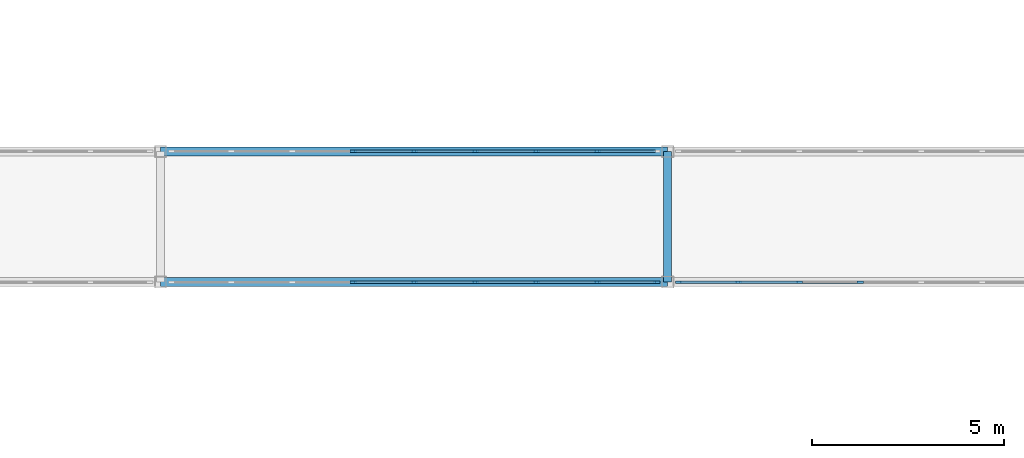
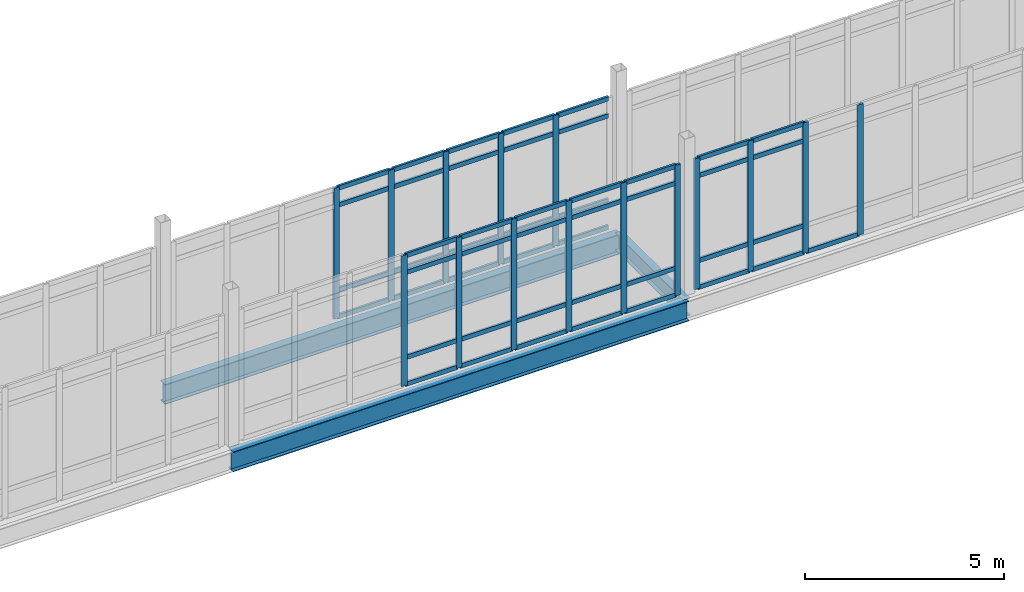
# One storey, part 39 of 125: 64 members, 3 beams, 3 elements without a shape of their own.
"""IFC4 building model written with IfcOpenShell, lengths in metres."""

from ifc_helpers import new_model, si_unit, direction, frame, origin, origin_2d, place, context, subcontext, project, spatial, rectangle, i_section, extrude, material, material_profile, profile_set, type_object, element, aggregate, save


model = new_model("IFC4")

# Units and contexts
model_context = context("Model", 3, precision=1e-05, world=origin(), true_north=direction((0.0, 1.0)))
body_context = subcontext(model_context, "Body", "Model", "MODEL_VIEW")
ifc_project = project(units=[si_unit("LENGTHUNIT", "METRE"), si_unit("AREAUNIT", "SQUARE_METRE"), si_unit("VOLUMEUNIT", "CUBIC_METRE"), si_unit("PLANEANGLEUNIT", "RADIAN"), si_unit("MASSUNIT", "GRAM", prefix="KILO")], contexts=[model_context])

# Site, building, storey
site_placement = place(None, origin())
site = spatial("IfcSite", under=ifc_project, at=site_placement, CompositionType="ELEMENT")
building_placement = place(site_placement, origin())
building = spatial("IfcBuilding", under=site, at=building_placement, Name="Dornvale Research Institute", CompositionType="ELEMENT")
storey_placement = place(building_placement, frame((0.0, 0.0, 5.39990234375)))
storey = spatial("IfcBuildingStorey", under=building, at=storey_placement, Name="L01", CompositionType="ELEMENT", Elevation=5.39990234375)

# Beams
ifc_material_1 = material(Name="Steel ASTM A992 Grade 50", Category="steel")
ifc_material_profile_1 = material_profile(ifc_material_1, i_section(OverallWidth=0.2099609375, OverallDepth=0.535888671875, WebThickness=0.010986328125, FlangeThickness=0.017333984375, at=origin_2d()), Name="W21X68")
ifc_profile_set_1 = profile_set([ifc_material_profile_1], Name="Steel ASTM A992 Grade 50")
beam_type_1 = type_object("IfcBeamType", Name="Beam_Steel_W21X68_Ext", PredefinedType="BEAM", material=ifc_profile_set_1)
beam_placement = place(storey_placement, frame((72.60009765625, 113.10009765625, -0.48779296875), z_axis=(0.0, 1.0, 0.0), x_axis=(-1.0, 0.0, 0.0)))
element("IfcBeam", 1, at=beam_placement, inside=storey, type_object=beam_type_1, Name="L01 BR-5 portal cap beam #2026", PredefinedType="BEAM", context=body_context, shape_type="SweptSolid", body=[
    extrude(i_section(OverallWidth=0.2099609375, OverallDepth=0.535888671875, WebThickness=0.010986328125, FlangeThickness=0.017333984375, at=origin_2d()), origin(), (0.0, 0.0, 1.0), 3.39990234375),
])
ifc_material_2 = material(Name="Steel ASTM A992 Grade 50", Category="steel")
ifc_material_profile_2 = material_profile(ifc_material_2, i_section(OverallWidth=0.22900390625, OverallDepth=0.612060546875, WebThickness=0.011962890625, FlangeThickness=0.01953125, at=origin_2d()), Name="W24X84")
ifc_profile_set_2 = profile_set([ifc_material_profile_2], Name="Steel ASTM A992 Grade 50")
beam_type_2 = type_object("IfcBeamType", Name="Beam_Steel_W24X84_Bridge", PredefinedType="BEAM", material=ifc_profile_set_2)
for number, where, z_axis, x_axis, name in (
    (2, (59.39990234375, 113.10009765625, -0.52587890625), (1.0, 0.0, 0.0), (0.0, 1.0, 0.0), "L01 BR-5 south girder #2026"),
    (3, (59.39990234375, 116.5, -0.52587890625), (1.0, 0.0, 0.0), (0.0, 1.0, 0.0), "L01 BR-5 north girder #2026"),
):
    element("IfcBeam", number, at=place(storey_placement, frame(where, z_axis=z_axis, x_axis=x_axis)), inside=storey, type_object=beam_type_2, Name=name, PredefinedType="BEAM", context=body_context, shape_type="SweptSolid", body=[
        extrude(i_section(OverallWidth=0.22900390625, OverallDepth=0.612060546875, WebThickness=0.011962890625, FlangeThickness=0.01953125, at=origin_2d()), origin(), (0.0, 0.0, 1.0), 13.2001953125),
    ])

# Curtain wall, members
ifc_material_3 = material(Name="Low-E Argon Double Insulating Glazing Unit", Category="glass")
curtain_wall_type = type_object("IfcCurtainWallType", Name="UnitisedCurtainWall_V2_12700x4000", PredefinedType="USERDEFINED", material=ifc_material_3)
curtain_wall_1_placement = place(storey_placement, origin())
curtain_wall_1 = element("IfcCurtainWall", 4, at=curtain_wall_1_placement, inside=storey, type_object=curtain_wall_type, Name="L01 V2 unitised curtain wall CW-42 #213", ObjectType="UNITISED CURTAIN WALL", PredefinedType="USERDEFINED")
ifc_material_4 = material(Name="Anodized Aluminum AA 6063-T6 Thermally Broken Frame", Category="aluminium")
ifc_material_profile_3 = material_profile(ifc_material_4, rectangle(XDim=0.06494140625, YDim=0.1650390625, at=origin_2d()), Name="ALU MULLION 65x165")
ifc_profile_set_3 = profile_set([ifc_material_profile_3], Name="Anodized Aluminum AA 6063-T6 Thermally Broken Frame")
member_type_1 = type_object("IfcMemberType", Name="Mullion_Atrium_65x165", PredefinedType="MULLION", material=ifc_profile_set_3)
member_1_placement = place(storey_placement, frame((64.41259765625, 116.5, 0.0), z_axis=(0.0, 0.0, 1.0), x_axis=(0.0, 1.0, 0.0)))
member_1 = element("IfcMember", 5, at=member_1_placement, type_object=member_type_1, Name="CW-42 mullion 4", PredefinedType="MULLION", context=body_context, shape_type="SweptSolid", body=[
    extrude(rectangle(XDim=0.06494140625, YDim=0.1650390625, at=origin_2d()), origin(), (0.0, 0.0, 1.0), 4.0),
])
member_2_placement = place(storey_placement, frame((66.0, 116.5, 0.0), z_axis=(0.0, 0.0, 1.0), x_axis=(0.0, 1.0, 0.0)))
member_2 = element("IfcMember", 6, at=member_2_placement, type_object=member_type_1, Name="CW-42 mullion 5", PredefinedType="MULLION", context=body_context, shape_type="SweptSolid", body=[
    extrude(rectangle(XDim=0.06494140625, YDim=0.1650390625, at=origin_2d()), origin(), (0.0, 0.0, 1.0), 4.0),
])
member_3_placement = place(storey_placement, frame((67.58740234375, 116.5, 0.0), z_axis=(0.0, 0.0, 1.0), x_axis=(0.0, 1.0, 0.0)))
member_3 = element("IfcMember", 7, at=member_3_placement, type_object=member_type_1, Name="CW-42 mullion 6", PredefinedType="MULLION", context=body_context, shape_type="SweptSolid", body=[
    extrude(rectangle(XDim=0.06494140625, YDim=0.1650390625, at=origin_2d()), origin(), (0.0, 0.0, 1.0), 4.0),
])
member_4_placement = place(storey_placement, frame((69.175048828125, 116.5, 0.0), z_axis=(0.0, 0.0, 1.0), x_axis=(0.0, 1.0, 0.0)))
member_4 = element("IfcMember", 8, at=member_4_placement, type_object=member_type_1, Name="CW-42 mullion 7", PredefinedType="MULLION", context=body_context, shape_type="SweptSolid", body=[
    extrude(rectangle(XDim=0.06494140625, YDim=0.1650390625, at=origin_2d()), origin(), (0.0, 0.0, 1.0), 4.0),
])
member_5_placement = place(storey_placement, frame((70.762451171875, 116.5, 0.0), z_axis=(0.0, 0.0, 1.0), x_axis=(0.0, 1.0, 0.0)))
member_5 = element("IfcMember", 9, at=member_5_placement, type_object=member_type_1, Name="CW-42 mullion 8", PredefinedType="MULLION", context=body_context, shape_type="SweptSolid", body=[
    extrude(rectangle(XDim=0.06494140625, YDim=0.1650390625, at=origin_2d()), origin(), (0.0, 0.0, 1.0), 4.0),
])

curtain_wall_2_placement = place(storey_placement, origin())
curtain_wall_2 = element("IfcCurtainWall", 10, at=curtain_wall_2_placement, inside=storey, type_object=curtain_wall_type, Name="L01 V2 unitised curtain wall CW-42 #214", ObjectType="UNITISED CURTAIN WALL", PredefinedType="USERDEFINED")
member_6_placement = place(storey_placement, frame((72.3173828125, 113.10009765625, 0.0), z_axis=(0.0, 0.0, 1.0), x_axis=(0.0, -1.0, 0.0)))
member_6 = element("IfcMember", 11, at=member_6_placement, type_object=member_type_1, Name="CW-42 mullion 1", PredefinedType="MULLION", context=body_context, shape_type="SweptSolid", body=[
    extrude(rectangle(XDim=0.06494140625, YDim=0.1650390625, at=origin_2d()), origin(), (0.0, 0.0, 1.0), 4.0),
])
member_7_placement = place(storey_placement, frame((70.762451171875, 113.10009765625, 0.0), z_axis=(0.0, 0.0, 1.0), x_axis=(0.0, -1.0, 0.0)))
member_7 = element("IfcMember", 12, at=member_7_placement, type_object=member_type_1, Name="CW-42 mullion 2", PredefinedType="MULLION", context=body_context, shape_type="SweptSolid", body=[
    extrude(rectangle(XDim=0.06494140625, YDim=0.1650390625, at=origin_2d()), origin(), (0.0, 0.0, 1.0), 4.0),
])
member_8_placement = place(storey_placement, frame((69.175048828125, 113.10009765625, 0.0), z_axis=(0.0, 0.0, 1.0), x_axis=(0.0, -1.0, 0.0)))
member_8 = element("IfcMember", 13, at=member_8_placement, type_object=member_type_1, Name="CW-42 mullion 3", PredefinedType="MULLION", context=body_context, shape_type="SweptSolid", body=[
    extrude(rectangle(XDim=0.06494140625, YDim=0.1650390625, at=origin_2d()), origin(), (0.0, 0.0, 1.0), 4.0),
])
member_9_placement = place(storey_placement, frame((67.58740234375, 113.10009765625, 0.0), z_axis=(0.0, 0.0, 1.0), x_axis=(0.0, -1.0, 0.0)))
member_9 = element("IfcMember", 14, at=member_9_placement, type_object=member_type_1, Name="CW-42 mullion 4", PredefinedType="MULLION", context=body_context, shape_type="SweptSolid", body=[
    extrude(rectangle(XDim=0.06494140625, YDim=0.1650390625, at=origin_2d()), origin(), (0.0, 0.0, 1.0), 4.0),
])
member_10_placement = place(storey_placement, frame((66.0, 113.10009765625, 0.0), z_axis=(0.0, 0.0, 1.0), x_axis=(0.0, -1.0, 0.0)))
member_10 = element("IfcMember", 15, at=member_10_placement, type_object=member_type_1, Name="CW-42 mullion 5", PredefinedType="MULLION", context=body_context, shape_type="SweptSolid", body=[
    extrude(rectangle(XDim=0.06494140625, YDim=0.1650390625, at=origin_2d()), origin(), (0.0, 0.0, 1.0), 4.0),
])
member_11_placement = place(storey_placement, frame((64.41259765625, 113.10009765625, 0.0), z_axis=(0.0, 0.0, 1.0), x_axis=(0.0, -1.0, 0.0)))
member_11 = element("IfcMember", 16, at=member_11_placement, type_object=member_type_1, Name="CW-42 mullion 6", PredefinedType="MULLION", context=body_context, shape_type="SweptSolid", body=[
    extrude(rectangle(XDim=0.06494140625, YDim=0.1650390625, at=origin_2d()), origin(), (0.0, 0.0, 1.0), 4.0),
])

curtain_wall_3_placement = place(storey_placement, origin())
curtain_wall_3 = element("IfcCurtainWall", 17, at=curtain_wall_3_placement, inside=storey, type_object=curtain_wall_type, Name="L01 V2 unitised curtain wall CW-42 #216", ObjectType="UNITISED CURTAIN WALL", PredefinedType="USERDEFINED")
member_12_placement = place(storey_placement, frame((77.612548828125, 113.10009765625, 0.0), z_axis=(0.0, 0.0, 1.0), x_axis=(0.0, -1.0, 0.0)))
member_12 = element("IfcMember", 18, at=member_12_placement, type_object=member_type_1, Name="CW-42 mullion 6", PredefinedType="MULLION", context=body_context, shape_type="SweptSolid", body=[
    extrude(rectangle(XDim=0.06494140625, YDim=0.1650390625, at=origin_2d()), origin(), (0.0, 0.0, 1.0), 4.0),
])
member_13_placement = place(storey_placement, frame((76.02490234375, 113.10009765625, 0.0), z_axis=(0.0, 0.0, 1.0), x_axis=(0.0, -1.0, 0.0)))
member_13 = element("IfcMember", 19, at=member_13_placement, type_object=member_type_1, Name="CW-42 mullion 7", PredefinedType="MULLION", context=body_context, shape_type="SweptSolid", body=[
    extrude(rectangle(XDim=0.06494140625, YDim=0.1650390625, at=origin_2d()), origin(), (0.0, 0.0, 1.0), 4.0),
])
member_14_placement = place(storey_placement, frame((74.4375, 113.10009765625, 0.0), z_axis=(0.0, 0.0, 1.0), x_axis=(0.0, -1.0, 0.0)))
member_14 = element("IfcMember", 20, at=member_14_placement, type_object=member_type_1, Name="CW-42 mullion 8", PredefinedType="MULLION", context=body_context, shape_type="SweptSolid", body=[
    extrude(rectangle(XDim=0.06494140625, YDim=0.1650390625, at=origin_2d()), origin(), (0.0, 0.0, 1.0), 4.0),
])
member_15_placement = place(storey_placement, frame((72.882568359375, 113.10009765625, 0.0), z_axis=(0.0, 0.0, 1.0), x_axis=(0.0, -1.0, 0.0)))
member_15 = element("IfcMember", 21, at=member_15_placement, type_object=member_type_1, Name="CW-42 mullion 9", PredefinedType="MULLION", context=body_context, shape_type="SweptSolid", body=[
    extrude(rectangle(XDim=0.06494140625, YDim=0.1650390625, at=origin_2d()), origin(), (0.0, 0.0, 1.0), 4.0),
])

# Member
ifc_material_5 = material(Name="Anodized Aluminum AA 6063-T6 Thermally Broken Frame", Category="aluminium")
ifc_material_profile_4 = material_profile(ifc_material_5, rectangle(XDim=0.06494140625, YDim=0.135009765625, at=origin_2d()), Name="ALU TRANSOM 65x135")
ifc_profile_set_4 = profile_set([ifc_material_profile_4], Name="Anodized Aluminum AA 6063-T6 Thermally Broken Frame")
member_type_2 = type_object("IfcMemberType", Name="Transom_CW_65x135", PredefinedType="USERDEFINED", material=ifc_profile_set_4)
member_16_placement = place(storey_placement, frame((64.445068359375, 116.5, 0.03271484375), z_axis=(1.0, 0.0, 0.0), x_axis=(0.0, 1.0, 0.0)))
member_16 = element("IfcMember", 22, at=member_16_placement, type_object=member_type_2, Name="CW-42 transom 4.1", ObjectType="TRANSOM", PredefinedType="USERDEFINED", context=body_context, shape_type="SweptSolid", body=[
    extrude(rectangle(XDim=0.06494140625, YDim=0.135009765625, at=origin_2d()), origin(), (0.0, 0.0, 1.0), 1.5224609375),
])

member_17_placement = place(storey_placement, frame((64.445068359375, 116.5, 0.85009765625), z_axis=(1.0, 0.0, 0.0), x_axis=(0.0, 1.0, 0.0)))
member_17 = element("IfcMember", 23, at=member_17_placement, type_object=member_type_2, Name="CW-42 transom 4.2", ObjectType="TRANSOM", PredefinedType="USERDEFINED", context=body_context, shape_type="SweptSolid", body=[
    extrude(rectangle(XDim=0.06494140625, YDim=0.135009765625, at=origin_2d()), origin(), (0.0, 0.0, 1.0), 1.5224609375),
])

member_18_placement = place(storey_placement, frame((64.445068359375, 116.5, 3.4501953125), z_axis=(1.0, 0.0, 0.0), x_axis=(0.0, 1.0, 0.0)))
member_18 = element("IfcMember", 24, at=member_18_placement, type_object=member_type_2, Name="CW-42 transom 4.3", ObjectType="TRANSOM", PredefinedType="USERDEFINED", context=body_context, shape_type="SweptSolid", body=[
    extrude(rectangle(XDim=0.06494140625, YDim=0.135009765625, at=origin_2d()), origin(), (0.0, 0.0, 1.0), 1.5224609375),
])

member_19_placement = place(storey_placement, frame((64.445068359375, 116.5, 3.967529296875), z_axis=(1.0, 0.0, 0.0), x_axis=(0.0, 1.0, 0.0)))
member_19 = element("IfcMember", 25, at=member_19_placement, type_object=member_type_2, Name="CW-42 transom 4.4", ObjectType="TRANSOM", PredefinedType="USERDEFINED", context=body_context, shape_type="SweptSolid", body=[
    extrude(rectangle(XDim=0.06494140625, YDim=0.135009765625, at=origin_2d()), origin(), (0.0, 0.0, 1.0), 1.5224609375),
])

member_20_placement = place(storey_placement, frame((66.032470703125, 116.5, 0.03271484375), z_axis=(1.0, 0.0, 0.0), x_axis=(0.0, 1.0, 0.0)))
member_20 = element("IfcMember", 26, at=member_20_placement, type_object=member_type_2, Name="CW-42 transom 5.1", ObjectType="TRANSOM", PredefinedType="USERDEFINED", context=body_context, shape_type="SweptSolid", body=[
    extrude(rectangle(XDim=0.06494140625, YDim=0.135009765625, at=origin_2d()), origin(), (0.0, 0.0, 1.0), 1.5224609375),
])

member_21_placement = place(storey_placement, frame((66.032470703125, 116.5, 0.85009765625), z_axis=(1.0, 0.0, 0.0), x_axis=(0.0, 1.0, 0.0)))
member_21 = element("IfcMember", 27, at=member_21_placement, type_object=member_type_2, Name="CW-42 transom 5.2", ObjectType="TRANSOM", PredefinedType="USERDEFINED", context=body_context, shape_type="SweptSolid", body=[
    extrude(rectangle(XDim=0.06494140625, YDim=0.135009765625, at=origin_2d()), origin(), (0.0, 0.0, 1.0), 1.5224609375),
])

member_22_placement = place(storey_placement, frame((66.032470703125, 116.5, 3.4501953125), z_axis=(1.0, 0.0, 0.0), x_axis=(0.0, 1.0, 0.0)))
member_22 = element("IfcMember", 28, at=member_22_placement, type_object=member_type_2, Name="CW-42 transom 5.3", ObjectType="TRANSOM", PredefinedType="USERDEFINED", context=body_context, shape_type="SweptSolid", body=[
    extrude(rectangle(XDim=0.06494140625, YDim=0.135009765625, at=origin_2d()), origin(), (0.0, 0.0, 1.0), 1.5224609375),
])

member_23_placement = place(storey_placement, frame((66.032470703125, 116.5, 3.967529296875), z_axis=(1.0, 0.0, 0.0), x_axis=(0.0, 1.0, 0.0)))
member_23 = element("IfcMember", 29, at=member_23_placement, type_object=member_type_2, Name="CW-42 transom 5.4", ObjectType="TRANSOM", PredefinedType="USERDEFINED", context=body_context, shape_type="SweptSolid", body=[
    extrude(rectangle(XDim=0.06494140625, YDim=0.135009765625, at=origin_2d()), origin(), (0.0, 0.0, 1.0), 1.5224609375),
])

member_24_placement = place(storey_placement, frame((67.6201171875, 116.5, 0.03271484375), z_axis=(1.0, 0.0, 0.0), x_axis=(0.0, 1.0, 0.0)))
member_24 = element("IfcMember", 30, at=member_24_placement, type_object=member_type_2, Name="CW-42 transom 6.1", ObjectType="TRANSOM", PredefinedType="USERDEFINED", context=body_context, shape_type="SweptSolid", body=[
    extrude(rectangle(XDim=0.06494140625, YDim=0.135009765625, at=origin_2d()), origin(), (0.0, 0.0, 1.0), 1.5224609375),
])

member_25_placement = place(storey_placement, frame((67.6201171875, 116.5, 0.85009765625), z_axis=(1.0, 0.0, 0.0), x_axis=(0.0, 1.0, 0.0)))
member_25 = element("IfcMember", 31, at=member_25_placement, type_object=member_type_2, Name="CW-42 transom 6.2", ObjectType="TRANSOM", PredefinedType="USERDEFINED", context=body_context, shape_type="SweptSolid", body=[
    extrude(rectangle(XDim=0.06494140625, YDim=0.135009765625, at=origin_2d()), origin(), (0.0, 0.0, 1.0), 1.5224609375),
])

member_26_placement = place(storey_placement, frame((67.6201171875, 116.5, 3.4501953125), z_axis=(1.0, 0.0, 0.0), x_axis=(0.0, 1.0, 0.0)))
member_26 = element("IfcMember", 32, at=member_26_placement, type_object=member_type_2, Name="CW-42 transom 6.3", ObjectType="TRANSOM", PredefinedType="USERDEFINED", context=body_context, shape_type="SweptSolid", body=[
    extrude(rectangle(XDim=0.06494140625, YDim=0.135009765625, at=origin_2d()), origin(), (0.0, 0.0, 1.0), 1.5224609375),
])

member_27_placement = place(storey_placement, frame((67.6201171875, 116.5, 3.967529296875), z_axis=(1.0, 0.0, 0.0), x_axis=(0.0, 1.0, 0.0)))
member_27 = element("IfcMember", 33, at=member_27_placement, type_object=member_type_2, Name="CW-42 transom 6.4", ObjectType="TRANSOM", PredefinedType="USERDEFINED", context=body_context, shape_type="SweptSolid", body=[
    extrude(rectangle(XDim=0.06494140625, YDim=0.135009765625, at=origin_2d()), origin(), (0.0, 0.0, 1.0), 1.5224609375),
])

member_28_placement = place(storey_placement, frame((69.20751953125, 116.5, 0.03271484375), z_axis=(1.0, 0.0, 0.0), x_axis=(0.0, 1.0, 0.0)))
member_28 = element("IfcMember", 34, at=member_28_placement, type_object=member_type_2, Name="CW-42 transom 7.1", ObjectType="TRANSOM", PredefinedType="USERDEFINED", context=body_context, shape_type="SweptSolid", body=[
    extrude(rectangle(XDim=0.06494140625, YDim=0.135009765625, at=origin_2d()), origin(), (0.0, 0.0, 1.0), 1.5224609375),
])

member_29_placement = place(storey_placement, frame((69.20751953125, 116.5, 0.85009765625), z_axis=(1.0, 0.0, 0.0), x_axis=(0.0, 1.0, 0.0)))
member_29 = element("IfcMember", 35, at=member_29_placement, type_object=member_type_2, Name="CW-42 transom 7.2", ObjectType="TRANSOM", PredefinedType="USERDEFINED", context=body_context, shape_type="SweptSolid", body=[
    extrude(rectangle(XDim=0.06494140625, YDim=0.135009765625, at=origin_2d()), origin(), (0.0, 0.0, 1.0), 1.5224609375),
])

member_30_placement = place(storey_placement, frame((69.20751953125, 116.5, 3.4501953125), z_axis=(1.0, 0.0, 0.0), x_axis=(0.0, 1.0, 0.0)))
member_30 = element("IfcMember", 36, at=member_30_placement, type_object=member_type_2, Name="CW-42 transom 7.3", ObjectType="TRANSOM", PredefinedType="USERDEFINED", context=body_context, shape_type="SweptSolid", body=[
    extrude(rectangle(XDim=0.06494140625, YDim=0.135009765625, at=origin_2d()), origin(), (0.0, 0.0, 1.0), 1.5224609375),
])

member_31_placement = place(storey_placement, frame((69.20751953125, 116.5, 3.967529296875), z_axis=(1.0, 0.0, 0.0), x_axis=(0.0, 1.0, 0.0)))
member_31 = element("IfcMember", 37, at=member_31_placement, type_object=member_type_2, Name="CW-42 transom 7.4", ObjectType="TRANSOM", PredefinedType="USERDEFINED", context=body_context, shape_type="SweptSolid", body=[
    extrude(rectangle(XDim=0.06494140625, YDim=0.135009765625, at=origin_2d()), origin(), (0.0, 0.0, 1.0), 1.5224609375),
])

member_32_placement = place(storey_placement, frame((70.794921875, 116.5, 0.03271484375), z_axis=(1.0, 0.0, 0.0), x_axis=(0.0, 1.0, 0.0)))
member_32 = element("IfcMember", 38, at=member_32_placement, type_object=member_type_2, Name="CW-42 transom 8.1", ObjectType="TRANSOM", PredefinedType="USERDEFINED", context=body_context, shape_type="SweptSolid", body=[
    extrude(rectangle(XDim=0.06494140625, YDim=0.135009765625, at=origin_2d()), origin(), (0.0, 0.0, 1.0), 1.489990234375),
])

member_33_placement = place(storey_placement, frame((70.794921875, 116.5, 0.85009765625), z_axis=(1.0, 0.0, 0.0), x_axis=(0.0, 1.0, 0.0)))
member_33 = element("IfcMember", 39, at=member_33_placement, type_object=member_type_2, Name="CW-42 transom 8.2", ObjectType="TRANSOM", PredefinedType="USERDEFINED", context=body_context, shape_type="SweptSolid", body=[
    extrude(rectangle(XDim=0.06494140625, YDim=0.135009765625, at=origin_2d()), origin(), (0.0, 0.0, 1.0), 1.489990234375),
])

member_34_placement = place(storey_placement, frame((70.794921875, 116.5, 3.4501953125), z_axis=(1.0, 0.0, 0.0), x_axis=(0.0, 1.0, 0.0)))
member_34 = element("IfcMember", 40, at=member_34_placement, type_object=member_type_2, Name="CW-42 transom 8.3", ObjectType="TRANSOM", PredefinedType="USERDEFINED", context=body_context, shape_type="SweptSolid", body=[
    extrude(rectangle(XDim=0.06494140625, YDim=0.135009765625, at=origin_2d()), origin(), (0.0, 0.0, 1.0), 1.489990234375),
])

member_35_placement = place(storey_placement, frame((70.794921875, 116.5, 3.967529296875), z_axis=(1.0, 0.0, 0.0), x_axis=(0.0, 1.0, 0.0)))
member_35 = element("IfcMember", 41, at=member_35_placement, type_object=member_type_2, Name="CW-42 transom 8.4", ObjectType="TRANSOM", PredefinedType="USERDEFINED", context=body_context, shape_type="SweptSolid", body=[
    extrude(rectangle(XDim=0.06494140625, YDim=0.135009765625, at=origin_2d()), origin(), (0.0, 0.0, 1.0), 1.489990234375),
])

aggregate(curtain_wall_1, [member_1, member_2, member_3, member_4, member_5, member_16, member_17, member_18, member_19, member_20, member_21, member_22, member_23, member_24, member_25, member_26, member_27, member_28, member_29, member_30, member_31, member_32, member_33, member_34, member_35])

member_36_placement = place(storey_placement, frame((72.284912109375, 113.10009765625, 0.03271484375), z_axis=(-1.0, 0.0, 0.0), x_axis=(0.0, -1.0, 0.0)))
member_36 = element("IfcMember", 42, at=member_36_placement, type_object=member_type_2, Name="CW-42 transom 1.1", ObjectType="TRANSOM", PredefinedType="USERDEFINED", context=body_context, shape_type="SweptSolid", body=[
    extrude(rectangle(XDim=0.06494140625, YDim=0.135009765625, at=origin_2d()), origin(), (0.0, 0.0, 1.0), 1.489990234375),
])

member_37_placement = place(storey_placement, frame((72.284912109375, 113.10009765625, 0.85009765625), z_axis=(-1.0, 0.0, 0.0), x_axis=(0.0, -1.0, 0.0)))
member_37 = element("IfcMember", 43, at=member_37_placement, type_object=member_type_2, Name="CW-42 transom 1.2", ObjectType="TRANSOM", PredefinedType="USERDEFINED", context=body_context, shape_type="SweptSolid", body=[
    extrude(rectangle(XDim=0.06494140625, YDim=0.135009765625, at=origin_2d()), origin(), (0.0, 0.0, 1.0), 1.489990234375),
])

member_38_placement = place(storey_placement, frame((72.284912109375, 113.10009765625, 3.4501953125), z_axis=(-1.0, 0.0, 0.0), x_axis=(0.0, -1.0, 0.0)))
member_38 = element("IfcMember", 44, at=member_38_placement, type_object=member_type_2, Name="CW-42 transom 1.3", ObjectType="TRANSOM", PredefinedType="USERDEFINED", context=body_context, shape_type="SweptSolid", body=[
    extrude(rectangle(XDim=0.06494140625, YDim=0.135009765625, at=origin_2d()), origin(), (0.0, 0.0, 1.0), 1.489990234375),
])

member_39_placement = place(storey_placement, frame((72.284912109375, 113.10009765625, 3.967529296875), z_axis=(-1.0, 0.0, 0.0), x_axis=(0.0, -1.0, 0.0)))
member_39 = element("IfcMember", 45, at=member_39_placement, type_object=member_type_2, Name="CW-42 transom 1.4", ObjectType="TRANSOM", PredefinedType="USERDEFINED", context=body_context, shape_type="SweptSolid", body=[
    extrude(rectangle(XDim=0.06494140625, YDim=0.135009765625, at=origin_2d()), origin(), (0.0, 0.0, 1.0), 1.489990234375),
])

member_40_placement = place(storey_placement, frame((70.72998046875, 113.10009765625, 0.03271484375), z_axis=(-1.0, 0.0, 0.0), x_axis=(0.0, -1.0, 0.0)))
member_40 = element("IfcMember", 46, at=member_40_placement, type_object=member_type_2, Name="CW-42 transom 2.1", ObjectType="TRANSOM", PredefinedType="USERDEFINED", context=body_context, shape_type="SweptSolid", body=[
    extrude(rectangle(XDim=0.06494140625, YDim=0.135009765625, at=origin_2d()), origin(), (0.0, 0.0, 1.0), 1.5224609375),
])

member_41_placement = place(storey_placement, frame((70.72998046875, 113.10009765625, 0.85009765625), z_axis=(-1.0, 0.0, 0.0), x_axis=(0.0, -1.0, 0.0)))
member_41 = element("IfcMember", 47, at=member_41_placement, type_object=member_type_2, Name="CW-42 transom 2.2", ObjectType="TRANSOM", PredefinedType="USERDEFINED", context=body_context, shape_type="SweptSolid", body=[
    extrude(rectangle(XDim=0.06494140625, YDim=0.135009765625, at=origin_2d()), origin(), (0.0, 0.0, 1.0), 1.5224609375),
])

member_42_placement = place(storey_placement, frame((70.72998046875, 113.10009765625, 3.4501953125), z_axis=(-1.0, 0.0, 0.0), x_axis=(0.0, -1.0, 0.0)))
member_42 = element("IfcMember", 48, at=member_42_placement, type_object=member_type_2, Name="CW-42 transom 2.3", ObjectType="TRANSOM", PredefinedType="USERDEFINED", context=body_context, shape_type="SweptSolid", body=[
    extrude(rectangle(XDim=0.06494140625, YDim=0.135009765625, at=origin_2d()), origin(), (0.0, 0.0, 1.0), 1.5224609375),
])

member_43_placement = place(storey_placement, frame((70.72998046875, 113.10009765625, 3.967529296875), z_axis=(-1.0, 0.0, 0.0), x_axis=(0.0, -1.0, 0.0)))
member_43 = element("IfcMember", 49, at=member_43_placement, type_object=member_type_2, Name="CW-42 transom 2.4", ObjectType="TRANSOM", PredefinedType="USERDEFINED", context=body_context, shape_type="SweptSolid", body=[
    extrude(rectangle(XDim=0.06494140625, YDim=0.135009765625, at=origin_2d()), origin(), (0.0, 0.0, 1.0), 1.5224609375),
])

member_44_placement = place(storey_placement, frame((69.142578125, 113.10009765625, 0.03271484375), z_axis=(-1.0, 0.0, 0.0), x_axis=(0.0, -1.0, 0.0)))
member_44 = element("IfcMember", 50, at=member_44_placement, type_object=member_type_2, Name="CW-42 transom 3.1", ObjectType="TRANSOM", PredefinedType="USERDEFINED", context=body_context, shape_type="SweptSolid", body=[
    extrude(rectangle(XDim=0.06494140625, YDim=0.135009765625, at=origin_2d()), origin(), (0.0, 0.0, 1.0), 1.5224609375),
])

member_45_placement = place(storey_placement, frame((69.142578125, 113.10009765625, 0.85009765625), z_axis=(-1.0, 0.0, 0.0), x_axis=(0.0, -1.0, 0.0)))
member_45 = element("IfcMember", 51, at=member_45_placement, type_object=member_type_2, Name="CW-42 transom 3.2", ObjectType="TRANSOM", PredefinedType="USERDEFINED", context=body_context, shape_type="SweptSolid", body=[
    extrude(rectangle(XDim=0.06494140625, YDim=0.135009765625, at=origin_2d()), origin(), (0.0, 0.0, 1.0), 1.5224609375),
])

member_46_placement = place(storey_placement, frame((69.142578125, 113.10009765625, 3.4501953125), z_axis=(-1.0, 0.0, 0.0), x_axis=(0.0, -1.0, 0.0)))
member_46 = element("IfcMember", 52, at=member_46_placement, type_object=member_type_2, Name="CW-42 transom 3.3", ObjectType="TRANSOM", PredefinedType="USERDEFINED", context=body_context, shape_type="SweptSolid", body=[
    extrude(rectangle(XDim=0.06494140625, YDim=0.135009765625, at=origin_2d()), origin(), (0.0, 0.0, 1.0), 1.5224609375),
])

member_47_placement = place(storey_placement, frame((69.142578125, 113.10009765625, 3.967529296875), z_axis=(-1.0, 0.0, 0.0), x_axis=(0.0, -1.0, 0.0)))
member_47 = element("IfcMember", 53, at=member_47_placement, type_object=member_type_2, Name="CW-42 transom 3.4", ObjectType="TRANSOM", PredefinedType="USERDEFINED", context=body_context, shape_type="SweptSolid", body=[
    extrude(rectangle(XDim=0.06494140625, YDim=0.135009765625, at=origin_2d()), origin(), (0.0, 0.0, 1.0), 1.5224609375),
])

member_48_placement = place(storey_placement, frame((67.554931640625, 113.10009765625, 0.03271484375), z_axis=(-1.0, 0.0, 0.0), x_axis=(0.0, -1.0, 0.0)))
member_48 = element("IfcMember", 54, at=member_48_placement, type_object=member_type_2, Name="CW-42 transom 4.1", ObjectType="TRANSOM", PredefinedType="USERDEFINED", context=body_context, shape_type="SweptSolid", body=[
    extrude(rectangle(XDim=0.06494140625, YDim=0.135009765625, at=origin_2d()), origin(), (0.0, 0.0, 1.0), 1.5224609375),
])

member_49_placement = place(storey_placement, frame((67.554931640625, 113.10009765625, 0.85009765625), z_axis=(-1.0, 0.0, 0.0), x_axis=(0.0, -1.0, 0.0)))
member_49 = element("IfcMember", 55, at=member_49_placement, type_object=member_type_2, Name="CW-42 transom 4.2", ObjectType="TRANSOM", PredefinedType="USERDEFINED", context=body_context, shape_type="SweptSolid", body=[
    extrude(rectangle(XDim=0.06494140625, YDim=0.135009765625, at=origin_2d()), origin(), (0.0, 0.0, 1.0), 1.5224609375),
])

member_50_placement = place(storey_placement, frame((67.554931640625, 113.10009765625, 3.4501953125), z_axis=(-1.0, 0.0, 0.0), x_axis=(0.0, -1.0, 0.0)))
member_50 = element("IfcMember", 56, at=member_50_placement, type_object=member_type_2, Name="CW-42 transom 4.3", ObjectType="TRANSOM", PredefinedType="USERDEFINED", context=body_context, shape_type="SweptSolid", body=[
    extrude(rectangle(XDim=0.06494140625, YDim=0.135009765625, at=origin_2d()), origin(), (0.0, 0.0, 1.0), 1.5224609375),
])

member_51_placement = place(storey_placement, frame((67.554931640625, 113.10009765625, 3.967529296875), z_axis=(-1.0, 0.0, 0.0), x_axis=(0.0, -1.0, 0.0)))
member_51 = element("IfcMember", 57, at=member_51_placement, type_object=member_type_2, Name="CW-42 transom 4.4", ObjectType="TRANSOM", PredefinedType="USERDEFINED", context=body_context, shape_type="SweptSolid", body=[
    extrude(rectangle(XDim=0.06494140625, YDim=0.135009765625, at=origin_2d()), origin(), (0.0, 0.0, 1.0), 1.5224609375),
])

member_52_placement = place(storey_placement, frame((65.967529296875, 113.10009765625, 0.03271484375), z_axis=(-1.0, 0.0, 0.0), x_axis=(0.0, -1.0, 0.0)))
member_52 = element("IfcMember", 58, at=member_52_placement, type_object=member_type_2, Name="CW-42 transom 5.1", ObjectType="TRANSOM", PredefinedType="USERDEFINED", context=body_context, shape_type="SweptSolid", body=[
    extrude(rectangle(XDim=0.06494140625, YDim=0.135009765625, at=origin_2d()), origin(), (0.0, 0.0, 1.0), 1.5224609375),
])

member_53_placement = place(storey_placement, frame((65.967529296875, 113.10009765625, 0.85009765625), z_axis=(-1.0, 0.0, 0.0), x_axis=(0.0, -1.0, 0.0)))
member_53 = element("IfcMember", 59, at=member_53_placement, type_object=member_type_2, Name="CW-42 transom 5.2", ObjectType="TRANSOM", PredefinedType="USERDEFINED", context=body_context, shape_type="SweptSolid", body=[
    extrude(rectangle(XDim=0.06494140625, YDim=0.135009765625, at=origin_2d()), origin(), (0.0, 0.0, 1.0), 1.5224609375),
])

member_54_placement = place(storey_placement, frame((65.967529296875, 113.10009765625, 3.4501953125), z_axis=(-1.0, 0.0, 0.0), x_axis=(0.0, -1.0, 0.0)))
member_54 = element("IfcMember", 60, at=member_54_placement, type_object=member_type_2, Name="CW-42 transom 5.3", ObjectType="TRANSOM", PredefinedType="USERDEFINED", context=body_context, shape_type="SweptSolid", body=[
    extrude(rectangle(XDim=0.06494140625, YDim=0.135009765625, at=origin_2d()), origin(), (0.0, 0.0, 1.0), 1.5224609375),
])

member_55_placement = place(storey_placement, frame((65.967529296875, 113.10009765625, 3.967529296875), z_axis=(-1.0, 0.0, 0.0), x_axis=(0.0, -1.0, 0.0)))
member_55 = element("IfcMember", 61, at=member_55_placement, type_object=member_type_2, Name="CW-42 transom 5.4", ObjectType="TRANSOM", PredefinedType="USERDEFINED", context=body_context, shape_type="SweptSolid", body=[
    extrude(rectangle(XDim=0.06494140625, YDim=0.135009765625, at=origin_2d()), origin(), (0.0, 0.0, 1.0), 1.5224609375),
])

aggregate(curtain_wall_2, [member_6, member_7, member_8, member_9, member_10, member_11, member_36, member_37, member_38, member_39, member_40, member_41, member_42, member_43, member_44, member_45, member_46, member_47, member_48, member_49, member_50, member_51, member_52, member_53, member_54, member_55])

member_56_placement = place(storey_placement, frame((77.580078125, 113.10009765625, 0.03271484375), z_axis=(-1.0, 0.0, 0.0), x_axis=(0.0, -1.0, 0.0)))
member_56 = element("IfcMember", 62, at=member_56_placement, type_object=member_type_2, Name="CW-42 transom 6.1", ObjectType="TRANSOM", PredefinedType="USERDEFINED", context=body_context, shape_type="SweptSolid", body=[
    extrude(rectangle(XDim=0.06494140625, YDim=0.135009765625, at=origin_2d()), origin(), (0.0, 0.0, 1.0), 1.5224609375),
])

member_57_placement = place(storey_placement, frame((75.992431640625, 113.10009765625, 0.03271484375), z_axis=(-1.0, 0.0, 0.0), x_axis=(0.0, -1.0, 0.0)))
member_57 = element("IfcMember", 63, at=member_57_placement, type_object=member_type_2, Name="CW-42 transom 7.1", ObjectType="TRANSOM", PredefinedType="USERDEFINED", context=body_context, shape_type="SweptSolid", body=[
    extrude(rectangle(XDim=0.06494140625, YDim=0.135009765625, at=origin_2d()), origin(), (0.0, 0.0, 1.0), 1.5224609375),
])

member_58_placement = place(storey_placement, frame((75.992431640625, 113.10009765625, 0.85009765625), z_axis=(-1.0, 0.0, 0.0), x_axis=(0.0, -1.0, 0.0)))
member_58 = element("IfcMember", 64, at=member_58_placement, type_object=member_type_2, Name="CW-42 transom 7.2", ObjectType="TRANSOM", PredefinedType="USERDEFINED", context=body_context, shape_type="SweptSolid", body=[
    extrude(rectangle(XDim=0.06494140625, YDim=0.135009765625, at=origin_2d()), origin(), (0.0, 0.0, 1.0), 1.5224609375),
])

member_59_placement = place(storey_placement, frame((75.992431640625, 113.10009765625, 3.4501953125), z_axis=(-1.0, 0.0, 0.0), x_axis=(0.0, -1.0, 0.0)))
member_59 = element("IfcMember", 65, at=member_59_placement, type_object=member_type_2, Name="CW-42 transom 7.3", ObjectType="TRANSOM", PredefinedType="USERDEFINED", context=body_context, shape_type="SweptSolid", body=[
    extrude(rectangle(XDim=0.06494140625, YDim=0.135009765625, at=origin_2d()), origin(), (0.0, 0.0, 1.0), 1.5224609375),
])

member_60_placement = place(storey_placement, frame((75.992431640625, 113.10009765625, 3.967529296875), z_axis=(-1.0, 0.0, 0.0), x_axis=(0.0, -1.0, 0.0)))
member_60 = element("IfcMember", 66, at=member_60_placement, type_object=member_type_2, Name="CW-42 transom 7.4", ObjectType="TRANSOM", PredefinedType="USERDEFINED", context=body_context, shape_type="SweptSolid", body=[
    extrude(rectangle(XDim=0.06494140625, YDim=0.135009765625, at=origin_2d()), origin(), (0.0, 0.0, 1.0), 1.5224609375),
])

member_61_placement = place(storey_placement, frame((74.405029296875, 113.10009765625, 0.03271484375), z_axis=(-1.0, 0.0, 0.0), x_axis=(0.0, -1.0, 0.0)))
member_61 = element("IfcMember", 67, at=member_61_placement, type_object=member_type_2, Name="CW-42 transom 8.1", ObjectType="TRANSOM", PredefinedType="USERDEFINED", context=body_context, shape_type="SweptSolid", body=[
    extrude(rectangle(XDim=0.06494140625, YDim=0.135009765625, at=origin_2d()), origin(), (0.0, 0.0, 1.0), 1.489990234375),
])

member_62_placement = place(storey_placement, frame((74.405029296875, 113.10009765625, 0.85009765625), z_axis=(-1.0, 0.0, 0.0), x_axis=(0.0, -1.0, 0.0)))
member_62 = element("IfcMember", 68, at=member_62_placement, type_object=member_type_2, Name="CW-42 transom 8.2", ObjectType="TRANSOM", PredefinedType="USERDEFINED", context=body_context, shape_type="SweptSolid", body=[
    extrude(rectangle(XDim=0.06494140625, YDim=0.135009765625, at=origin_2d()), origin(), (0.0, 0.0, 1.0), 1.489990234375),
])

member_63_placement = place(storey_placement, frame((74.405029296875, 113.10009765625, 3.4501953125), z_axis=(-1.0, 0.0, 0.0), x_axis=(0.0, -1.0, 0.0)))
member_63 = element("IfcMember", 69, at=member_63_placement, type_object=member_type_2, Name="CW-42 transom 8.3", ObjectType="TRANSOM", PredefinedType="USERDEFINED", context=body_context, shape_type="SweptSolid", body=[
    extrude(rectangle(XDim=0.06494140625, YDim=0.135009765625, at=origin_2d()), origin(), (0.0, 0.0, 1.0), 1.489990234375),
])

member_64_placement = place(storey_placement, frame((74.405029296875, 113.10009765625, 3.967529296875), z_axis=(-1.0, 0.0, 0.0), x_axis=(0.0, -1.0, 0.0)))
member_64 = element("IfcMember", 70, at=member_64_placement, type_object=member_type_2, Name="CW-42 transom 8.4", ObjectType="TRANSOM", PredefinedType="USERDEFINED", context=body_context, shape_type="SweptSolid", body=[
    extrude(rectangle(XDim=0.06494140625, YDim=0.135009765625, at=origin_2d()), origin(), (0.0, 0.0, 1.0), 1.489990234375),
])

aggregate(curtain_wall_3, [member_12, member_13, member_14, member_15, member_56, member_57, member_58, member_59, member_60, member_61, member_62, member_63, member_64])

save(model, "model.ifc")
